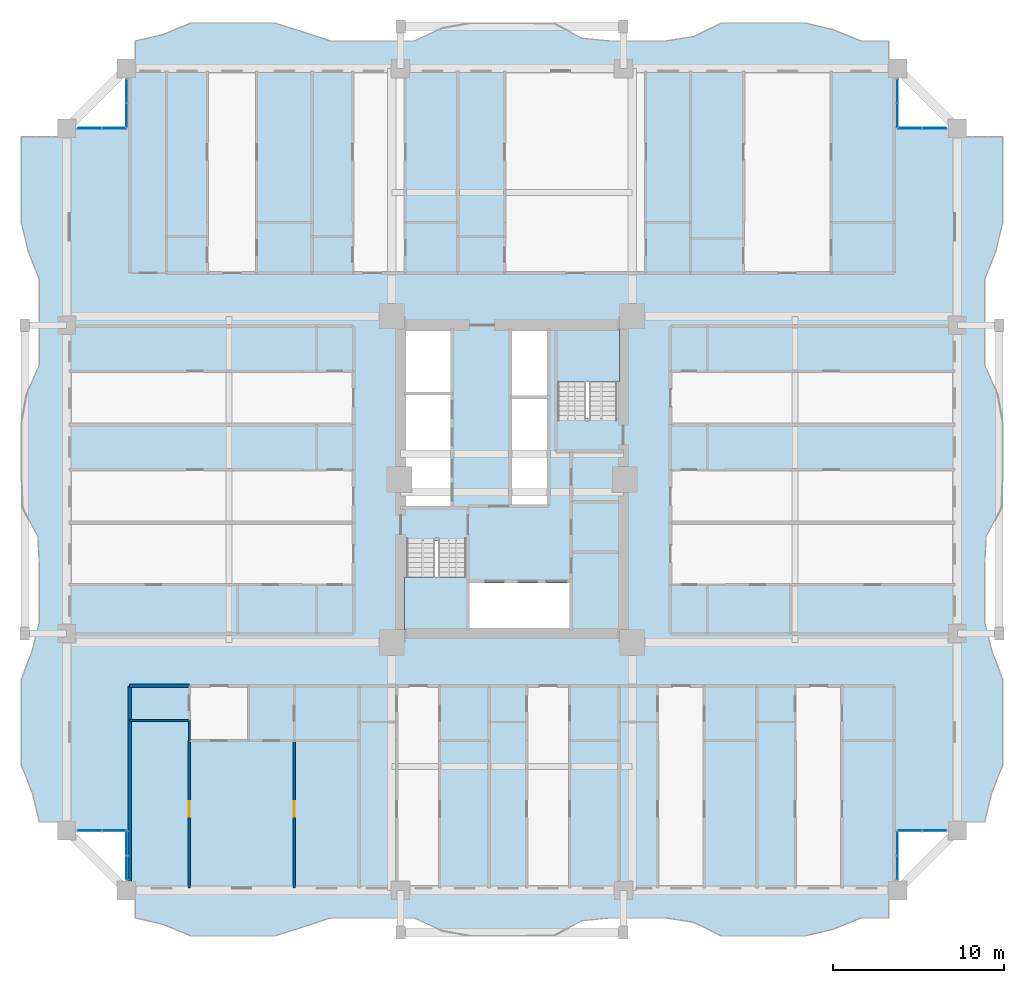
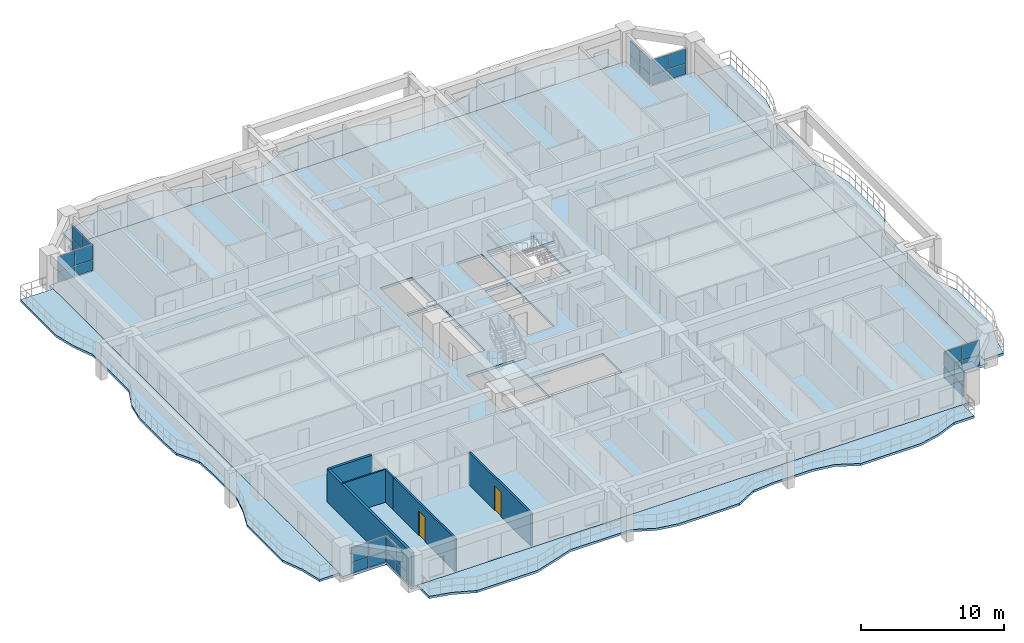
# One storey, part 13 of 28: 32 plates, 7 slabs, 6 walls, 2 doors, 2 openings, 10 elements without a shape of their own.
"""IFC4 building model written with IfcOpenShell, lengths in metres."""

from ifc_helpers import new_model, si_unit, direction, frame, frame_2d, origin, origin_2d, place, context, subcontext, project, spatial, polyline, rectangle, outline, extrude, source, transform, mapped, material, layer, layer_set, type_object, element, fill, aggregate, save


model = new_model("IFC4")

# Units and contexts
model_context = context("Model", 3, precision=1e-05, world=origin(), true_north=direction((0.0, 1.0)))
body_context = subcontext(model_context, "Body", "Model", "MODEL_VIEW")
ifc_project = project(units=[si_unit("LENGTHUNIT", "METRE"), si_unit("AREAUNIT", "SQUARE_METRE"), si_unit("VOLUMEUNIT", "CUBIC_METRE"), si_unit("PLANEANGLEUNIT", "RADIAN"), si_unit("MASSUNIT", "GRAM", prefix="KILO")], contexts=[model_context])

# Site, building, storey
site_placement = place(None, origin())
site = spatial("IfcSite", under=ifc_project, at=site_placement, CompositionType="ELEMENT")
building_placement = place(site_placement, origin())
building = spatial("IfcBuilding", under=site, at=building_placement, Name="Saelheon Loggia Tower", CompositionType="ELEMENT")
storey_placement = place(building_placement, frame((0.0, 0.0, 61.39990234375)))
storey = spatial("IfcBuildingStorey", under=building, at=storey_placement, Name="L19", CompositionType="ELEMENT", Elevation=61.39990234375)

# Slabs
ifc_material_1 = material(Name="Precast Concrete C45/55", Category="concrete")
ifc_layer_1 = layer(ifc_material_1, 0.18994140625)
ifc_layer_set_1 = layer_set([ifc_layer_1], Name="Precast Concrete C45/55")
slab_type_1 = type_object("IfcSlabType", Name="Slab_Loggia_Ext_190", PredefinedType="FLOOR", material=ifc_layer_set_1)
slab_1_placement = place(storey_placement, frame((0.0, 0.0, -0.18994140625)))
element("IfcSlab", 1, at=slab_1_placement, inside=storey, type_object=slab_type_1, Name="L19 Loggia Balcony Slab S", PredefinedType="FLOOR", context=body_context, shape_type="SweptSolid", body=[
    extrude(outline(polyline([(16.0, 1.39990234375), (17.629638671875, 1.023681640625), (19.25927734375, 0.35009765625), (20.888916015625, 0.35009765625), (22.5185546875, 0.35009765625), (24.148193359375, 0.35009765625), (25.77783203125, 0.864990234375), (27.407470703125, 1.39990234375), (29.037109375, 1.39990234375), (30.666748046875, 1.39990234375), (32.29638671875, 1.39990234375), (33.92578125, 0.646484375), (35.5556640625, 0.35009765625), (37.185302734375, 0.35009765625), (38.814697265625, 0.35009765625), (40.4443359375, 0.368408203125), (42.07421875, 1.238037109375), (43.70361328125, 1.39990234375), (45.333251953125, 1.39990234375), (46.962890625, 1.39990234375), (48.592529296875, 1.150390625), (50.22216796875, 0.35009765625), (51.851806640625, 0.35009765625), (53.4814453125, 0.35009765625), (55.111083984375, 0.35009765625), (56.74072265625, 0.736328125), (58.370361328125, 1.39990234375), (60.0, 1.39990234375), (60.0, 3.0), (16.0, 3.0), (16.0, 1.39990234375)])), origin(), (0.0, 0.0, 1.0), 0.18994140625),
])
slab_2_placement = place(storey_placement, frame((0.0, 0.0, -0.18994140625)))
element("IfcSlab", 2, at=slab_2_placement, inside=storey, type_object=slab_type_1, Name="L19 Loggia Balcony Slab N", PredefinedType="FLOOR", context=body_context, shape_type="SweptSolid", body=[
    extrude(outline(polyline([(16.0, 51.0), (60.0, 51.0), (60.0, 52.60009765625), (58.370361328125, 52.60009765625), (56.74072265625, 53.263671875), (55.111083984375, 53.64990234375), (53.4814453125, 53.64990234375), (51.851806640625, 53.64990234375), (50.22216796875, 53.64990234375), (48.592529296875, 52.849609375), (46.962890625, 52.60009765625), (45.333251953125, 52.60009765625), (43.70361328125, 52.60009765625), (42.07421875, 52.761962890625), (40.4443359375, 53.631591796875), (38.814697265625, 53.64990234375), (37.185302734375, 53.64990234375), (35.5556640625, 53.64990234375), (33.92578125, 53.353515625), (32.29638671875, 52.60009765625), (30.666748046875, 52.60009765625), (29.037109375, 52.60009765625), (27.407470703125, 52.60009765625), (25.77783203125, 53.135009765625), (24.148193359375, 53.64990234375), (22.5185546875, 53.64990234375), (20.888916015625, 53.64990234375), (19.25927734375, 53.64990234375), (17.629638671875, 52.976318359375), (16.0, 52.60009765625), (16.0, 51.0)])), origin(), (0.0, 0.0, 1.0), 0.18994140625),
])
slab_3_placement = place(storey_placement, frame((0.0, 0.0, -0.18994140625)))
element("IfcSlab", 3, at=slab_3_placement, inside=storey, type_object=slab_type_1, Name="L19 Loggia Balcony Slab E", PredefinedType="FLOOR", context=body_context, shape_type="SweptSolid", body=[
    extrude(outline(polyline([(64.0, 7.0), (65.60009765625, 7.0), (65.996337890625, 8.666748046875), (66.64990234375, 10.333251953125), (66.64990234375, 12.0), (66.64990234375, 13.666748046875), (66.64990234375, 15.333251953125), (66.014404296875, 17.0), (65.60009765625, 18.666748046875), (65.60009765625, 20.333251953125), (65.60009765625, 22.0), (65.6796875, 23.666748046875), (66.56884765625, 25.333251953125), (66.64990234375, 27.0), (66.64990234375, 28.666748046875), (66.64990234375, 30.333251953125), (66.339599609375, 32.0), (65.60009765625, 33.666748046875), (65.60009765625, 35.333251953125), (65.60009765625, 37.0), (65.60009765625, 38.666748046875), (66.24951171875, 40.333251953125), (66.64990234375, 42.0), (66.64990234375, 43.666748046875), (66.64990234375, 45.333251953125), (66.64990234375, 47.0), (64.0, 47.0), (64.0, 7.0)])), origin(), (0.0, 0.0, 1.0), 0.18994140625),
])
slab_4_placement = place(storey_placement, frame((0.0, 0.0, -0.18994140625)))
element("IfcSlab", 4, at=slab_4_placement, inside=storey, type_object=slab_type_1, Name="L19 Loggia Balcony Slab W", PredefinedType="FLOOR", context=body_context, shape_type="SweptSolid", body=[
    extrude(outline(polyline([(12.0, 7.0), (12.0, 47.0), (9.35009765625, 47.0), (9.35009765625, 45.333251953125), (9.35009765625, 43.666748046875), (9.35009765625, 42.0), (9.75048828125, 40.333251953125), (10.39990234375, 38.666748046875), (10.39990234375, 37.0), (10.39990234375, 35.333251953125), (10.39990234375, 33.666748046875), (9.660400390625, 32.0), (9.35009765625, 30.333251953125), (9.35009765625, 28.666748046875), (9.35009765625, 27.0), (9.43115234375, 25.333251953125), (10.3203125, 23.666748046875), (10.39990234375, 22.0), (10.39990234375, 20.333251953125), (10.39990234375, 18.666748046875), (9.985595703125, 17.0), (9.35009765625, 15.333251953125), (9.35009765625, 13.666748046875), (9.35009765625, 12.0), (9.35009765625, 10.333251953125), (10.003662109375, 8.666748046875), (10.39990234375, 7.0), (12.0, 7.0)])), origin(), (0.0, 0.0, 1.0), 0.18994140625),
])

# Stair, slab
ifc_material_2 = material(Name="Concrete C40/50", Category="concrete")
stair_type = type_object("IfcStairType", Name="Stair_Escape_Core", PredefinedType="HALF_TURN_STAIR", material=ifc_material_2)
stair_1_placement = place(storey_placement, origin())
stair_1 = element("IfcStair", 5, at=stair_1_placement, inside=storey, type_object=stair_type, Name="L19 Special Escape Stair ST1", PredefinedType="HALF_TURN_STAIR")
ifc_layer_2 = layer(ifc_material_2, 0.199951171875)
ifc_layer_set_2 = layer_set([ifc_layer_2], Name="Concrete C40/50")
slab_type_2 = type_object("IfcSlabType", Name="Slab_StairLanding_ST1", PredefinedType="LANDING", material=ifc_layer_set_2)
slab_5_placement = place(storey_placement, frame((0.0, 0.0, 1.300048828125)))
slab_5 = element("IfcSlab", 6, at=slab_5_placement, type_object=slab_type_2, Name="ST1 landing 1", PredefinedType="LANDING", context=body_context, shape_type="SweptSolid", body=[
    extrude(outline(polyline([(31.7099609375, 21.31005859375), (31.7099609375, 18.2099609375), (35.469970703125, 18.2099609375), (35.469970703125, 21.31005859375), (31.7099609375, 21.31005859375)])), origin(), (0.0, 0.0, 1.0), 0.199951171875),
])
aggregate(stair_1, [slab_5])

stair_2_placement = place(storey_placement, origin())
stair_2 = element("IfcStair", 7, at=stair_2_placement, inside=storey, type_object=stair_type, Name="L19 Special Escape Stair ST2", PredefinedType="HALF_TURN_STAIR")
ifc_layer_3 = layer(ifc_material_2, 0.199951171875)
ifc_layer_set_3 = layer_set([ifc_layer_3], Name="Concrete C40/50")
slab_type_3 = type_object("IfcSlabType", Name="Slab_StairLanding_ST2", PredefinedType="LANDING", material=ifc_layer_set_3)
slab_6_placement = place(storey_placement, frame((0.0, 0.0, 1.300048828125)))
slab_6 = element("IfcSlab", 8, at=slab_6_placement, type_object=slab_type_3, Name="ST2 landing 1", PredefinedType="LANDING", context=body_context, shape_type="SweptSolid", body=[
    extrude(outline(polyline([(44.2900390625, 32.68994140625), (44.2900390625, 35.7900390625), (40.530029296875, 35.7900390625), (40.530029296875, 32.68994140625), (44.2900390625, 32.68994140625)])), origin(), (0.0, 0.0, 1.0), 0.199951171875),
])
aggregate(stair_2, [slab_6])

# Slab
ifc_layer_4 = layer(ifc_material_2, 0.2099609375)
ifc_layer_set_4 = layer_set([ifc_layer_4], Name="Concrete C40/50")
slab_type_4 = type_object("IfcSlabType", Name="Slab_Tower_210", PredefinedType="FLOOR", material=ifc_layer_set_4)
slab_7_placement = place(storey_placement, frame((0.0, 0.0, -0.2099609375)))
element("IfcSlab", 9, at=slab_7_placement, inside=storey, type_object=slab_type_4, Name="L19 Tower Floor Slab", PredefinedType="FLOOR", context=body_context, shape_type="SweptSolid", body=[
    extrude(outline(polyline([(15.5, 3.0), (60.5, 3.0), (60.5, 6.5), (64.0, 6.5), (64.0, 47.5), (60.5, 47.5), (60.5, 51.0), (15.5, 51.0), (15.5, 47.5), (12.0, 47.5), (12.0, 6.5), (15.5, 6.5), (15.5, 3.0)]), holes=[polyline([(31.699951171875, 23.409912109375), (31.699951171875, 18.199951171875), (35.47998046875, 18.199951171875), (35.47998046875, 23.409912109375), (31.699951171875, 23.409912109375)]), polyline([(44.300048828125, 30.590087890625), (44.300048828125, 35.800048828125), (40.52001953125, 35.800048828125), (40.52001953125, 30.590087890625), (44.300048828125, 30.590087890625)]), polyline([(35.530029296875, 18.324951171875), (41.35009765625, 18.324951171875), (41.35009765625, 20.9599609375), (35.530029296875, 20.9599609375), (35.530029296875, 18.324951171875)]), polyline([(31.824951171875, 32.1201171875), (34.419921875, 32.1201171875), (34.419921875, 35.675048828125), (31.824951171875, 35.675048828125), (31.824951171875, 32.1201171875)]), polyline([(38.0, 31.89990234375), (40.050048828125, 31.89990234375), (40.050048828125, 35.675048828125), (38.0, 35.675048828125), (38.0, 31.89990234375)]), polyline([(31.824951171875, 25.449951171875), (34.419921875, 25.449951171875), (34.419921875, 31.919921875), (31.824951171875, 31.919921875), (31.824951171875, 25.449951171875)]), polyline([(38.0, 25.5400390625), (40.050048828125, 25.5400390625), (40.050048828125, 31.699951171875), (38.0, 31.699951171875), (38.0, 25.5400390625)])]), origin(), (0.0, 0.0, 1.0), 0.2099609375),
])

# Curtain wall, plates
ifc_material_3 = material(Name="Thermal-Break Aluminium and Triple Low-E Glass", Category="aluminium")
ifc_layer_5 = layer(ifc_material_3, 0.159912109375)
ifc_layer_set_5 = layer_set([ifc_layer_5], Name="Thermal-Break Aluminium and Triple Low-E Glass")
curtain_wall_type = type_object("IfcCurtainWallType", Name="CW_TowerLoggiaLow", PredefinedType="NOTDEFINED", material=ifc_layer_set_5)
curtain_wall_1_placement = place(storey_placement, origin())
curtain_wall_1 = element("IfcCurtainWall", 10, at=curtain_wall_1_placement, inside=storey, type_object=curtain_wall_type, Name="L19 Corner Notch Glazing SW1", PredefinedType="NOTDEFINED")
ifc_material_4 = material(Name="Triple Low-E Laminated Glazing", Category="glass")
ifc_layer_6 = layer(ifc_material_4, 0.0419921875)
ifc_layer_set_6 = layer_set([ifc_layer_6], Name="Triple Low-E Laminated Glazing")
plate_type = type_object("IfcPlateType", Name="CW_TowerLoggiaLow_Panel", PredefinedType="CURTAIN_PANEL", material=ifc_layer_set_6)
shared_shape_1 = source(origin(), body_context, "Body", "SweptSolid", [
    extrude(rectangle(XDim=1.357421875, YDim=0.0419921875, at=origin_2d()), origin(), (0.0, 0.0, 1.0), 0.8525390625),
])
plate_1_placement = place(storey_placement, frame((15.5, 4.333740234375, 0.065185546875), z_axis=(0.0, 0.0, 1.0), x_axis=(0.0, 1.0, 0.0)))
plate_1 = element("IfcPlate", 11, at=plate_1_placement, type_object=plate_type, Name="CW3 panel 1.1", PredefinedType="CURTAIN_PANEL", context=body_context, shape_type="MappedRepresentation", body=[
    mapped(shared_shape_1, transform((0.0, 0.0, 0.0), scale=1.0)),
])
plate_2_placement = place(storey_placement, frame((15.5, 5.75634765625, 0.065185546875), z_axis=(0.0, 0.0, 1.0), x_axis=(0.0, 1.0, 0.0)))
plate_2 = element("IfcPlate", 12, at=plate_2_placement, type_object=plate_type, Name="CW3 panel 2.1", PredefinedType="CURTAIN_PANEL", context=body_context, shape_type="MappedRepresentation", body=[
    mapped(shared_shape_1, transform((0.0, 0.0, 0.0), scale=1.0)),
])

curtain_wall_2_placement = place(storey_placement, origin())
curtain_wall_2 = element("IfcCurtainWall", 13, at=curtain_wall_2_placement, inside=storey, type_object=curtain_wall_type, Name="L19 Corner Notch Glazing SW2", PredefinedType="NOTDEFINED")
plate_3_placement = place(storey_placement, frame((13.333740234375, 6.5, 0.065185546875), z_axis=(0.0, 0.0, 1.0), x_axis=(1.0, 0.0, 0.0)))
plate_3 = element("IfcPlate", 14, at=plate_3_placement, type_object=plate_type, Name="CW3 panel 1.1", PredefinedType="CURTAIN_PANEL", context=body_context, shape_type="MappedRepresentation", body=[
    mapped(shared_shape_1, transform((0.0, 0.0, 0.0), scale=1.0)),
])
plate_4_placement = place(storey_placement, frame((14.75634765625, 6.5, 0.065185546875), z_axis=(0.0, 0.0, 1.0), x_axis=(1.0, 0.0, 0.0)))
plate_4 = element("IfcPlate", 15, at=plate_4_placement, type_object=plate_type, Name="CW3 panel 2.1", PredefinedType="CURTAIN_PANEL", context=body_context, shape_type="MappedRepresentation", body=[
    mapped(shared_shape_1, transform((0.0, 0.0, 0.0), scale=1.0)),
])

curtain_wall_3_placement = place(storey_placement, origin())
curtain_wall_3 = element("IfcCurtainWall", 16, at=curtain_wall_3_placement, inside=storey, type_object=curtain_wall_type, Name="L19 Corner Notch Glazing SE1", PredefinedType="NOTDEFINED")
plate_5_placement = place(storey_placement, frame((60.5, 4.333740234375, 0.065185546875), z_axis=(0.0, 0.0, 1.0), x_axis=(0.0, 1.0, 0.0)))
plate_5 = element("IfcPlate", 17, at=plate_5_placement, type_object=plate_type, Name="CW3 panel 1.1", PredefinedType="CURTAIN_PANEL", context=body_context, shape_type="MappedRepresentation", body=[
    mapped(shared_shape_1, transform((0.0, 0.0, 0.0), scale=1.0)),
])
plate_6_placement = place(storey_placement, frame((60.5, 5.75634765625, 0.065185546875), z_axis=(0.0, 0.0, 1.0), x_axis=(0.0, 1.0, 0.0)))
plate_6 = element("IfcPlate", 18, at=plate_6_placement, type_object=plate_type, Name="CW3 panel 2.1", PredefinedType="CURTAIN_PANEL", context=body_context, shape_type="MappedRepresentation", body=[
    mapped(shared_shape_1, transform((0.0, 0.0, 0.0), scale=1.0)),
])

curtain_wall_4_placement = place(storey_placement, origin())
curtain_wall_4 = element("IfcCurtainWall", 19, at=curtain_wall_4_placement, inside=storey, type_object=curtain_wall_type, Name="L19 Corner Notch Glazing SE2", PredefinedType="NOTDEFINED")
plate_7_placement = place(storey_placement, frame((61.24365234375, 6.5, 0.065185546875), z_axis=(0.0, 0.0, 1.0), x_axis=(1.0, 0.0, 0.0)))
plate_7 = element("IfcPlate", 20, at=plate_7_placement, type_object=plate_type, Name="CW3 panel 1.1", PredefinedType="CURTAIN_PANEL", context=body_context, shape_type="MappedRepresentation", body=[
    mapped(shared_shape_1, transform((0.0, 0.0, 0.0), scale=1.0)),
])
plate_8_placement = place(storey_placement, frame((62.666259765625, 6.5, 0.065185546875), z_axis=(0.0, 0.0, 1.0), x_axis=(1.0, 0.0, 0.0)))
plate_8 = element("IfcPlate", 21, at=plate_8_placement, type_object=plate_type, Name="CW3 panel 2.1", PredefinedType="CURTAIN_PANEL", context=body_context, shape_type="MappedRepresentation", body=[
    mapped(shared_shape_1, transform((0.0, 0.0, 0.0), scale=1.0)),
])

curtain_wall_5_placement = place(storey_placement, origin())
curtain_wall_5 = element("IfcCurtainWall", 22, at=curtain_wall_5_placement, inside=storey, type_object=curtain_wall_type, Name="L19 Corner Notch Glazing NW1", PredefinedType="NOTDEFINED")
plate_9_placement = place(storey_placement, frame((15.5, 48.24365234375, 0.065185546875), z_axis=(0.0, 0.0, 1.0), x_axis=(0.0, 1.0, 0.0)))
plate_9 = element("IfcPlate", 23, at=plate_9_placement, type_object=plate_type, Name="CW3 panel 1.1", PredefinedType="CURTAIN_PANEL", context=body_context, shape_type="MappedRepresentation", body=[
    mapped(shared_shape_1, transform((0.0, 0.0, 0.0), scale=1.0)),
])
plate_10_placement = place(storey_placement, frame((15.5, 49.666259765625, 0.065185546875), z_axis=(0.0, 0.0, 1.0), x_axis=(0.0, 1.0, 0.0)))
plate_10 = element("IfcPlate", 24, at=plate_10_placement, type_object=plate_type, Name="CW3 panel 2.1", PredefinedType="CURTAIN_PANEL", context=body_context, shape_type="MappedRepresentation", body=[
    mapped(shared_shape_1, transform((0.0, 0.0, 0.0), scale=1.0)),
])

curtain_wall_6_placement = place(storey_placement, origin())
curtain_wall_6 = element("IfcCurtainWall", 25, at=curtain_wall_6_placement, inside=storey, type_object=curtain_wall_type, Name="L19 Corner Notch Glazing NW2", PredefinedType="NOTDEFINED")
plate_11_placement = place(storey_placement, frame((13.333740234375, 47.5, 0.065185546875), z_axis=(0.0, 0.0, 1.0), x_axis=(1.0, 0.0, 0.0)))
plate_11 = element("IfcPlate", 26, at=plate_11_placement, type_object=plate_type, Name="CW3 panel 1.1", PredefinedType="CURTAIN_PANEL", context=body_context, shape_type="MappedRepresentation", body=[
    mapped(shared_shape_1, transform((0.0, 0.0, 0.0), scale=1.0)),
])
plate_12_placement = place(storey_placement, frame((14.75634765625, 47.5, 0.065185546875), z_axis=(0.0, 0.0, 1.0), x_axis=(1.0, 0.0, 0.0)))
plate_12 = element("IfcPlate", 27, at=plate_12_placement, type_object=plate_type, Name="CW3 panel 2.1", PredefinedType="CURTAIN_PANEL", context=body_context, shape_type="MappedRepresentation", body=[
    mapped(shared_shape_1, transform((0.0, 0.0, 0.0), scale=1.0)),
])

curtain_wall_7_placement = place(storey_placement, origin())
curtain_wall_7 = element("IfcCurtainWall", 28, at=curtain_wall_7_placement, inside=storey, type_object=curtain_wall_type, Name="L19 Corner Notch Glazing NE1", PredefinedType="NOTDEFINED")
plate_13_placement = place(storey_placement, frame((60.5, 48.24365234375, 0.065185546875), z_axis=(0.0, 0.0, 1.0), x_axis=(0.0, 1.0, 0.0)))
plate_13 = element("IfcPlate", 29, at=plate_13_placement, type_object=plate_type, Name="CW3 panel 1.1", PredefinedType="CURTAIN_PANEL", context=body_context, shape_type="MappedRepresentation", body=[
    mapped(shared_shape_1, transform((0.0, 0.0, 0.0), scale=1.0)),
])
plate_14_placement = place(storey_placement, frame((60.5, 49.666259765625, 0.065185546875), z_axis=(0.0, 0.0, 1.0), x_axis=(0.0, 1.0, 0.0)))
plate_14 = element("IfcPlate", 30, at=plate_14_placement, type_object=plate_type, Name="CW3 panel 2.1", PredefinedType="CURTAIN_PANEL", context=body_context, shape_type="MappedRepresentation", body=[
    mapped(shared_shape_1, transform((0.0, 0.0, 0.0), scale=1.0)),
])

curtain_wall_8_placement = place(storey_placement, origin())
curtain_wall_8 = element("IfcCurtainWall", 31, at=curtain_wall_8_placement, inside=storey, type_object=curtain_wall_type, Name="L19 Corner Notch Glazing NE2", PredefinedType="NOTDEFINED")
plate_15_placement = place(storey_placement, frame((61.24365234375, 47.5, 0.065185546875), z_axis=(0.0, 0.0, 1.0), x_axis=(1.0, 0.0, 0.0)))
plate_15 = element("IfcPlate", 32, at=plate_15_placement, type_object=plate_type, Name="CW3 panel 1.1", PredefinedType="CURTAIN_PANEL", context=body_context, shape_type="MappedRepresentation", body=[
    mapped(shared_shape_1, transform((0.0, 0.0, 0.0), scale=1.0)),
])
plate_16_placement = place(storey_placement, frame((62.666259765625, 47.5, 0.065185546875), z_axis=(0.0, 0.0, 1.0), x_axis=(1.0, 0.0, 0.0)))
plate_16 = element("IfcPlate", 33, at=plate_16_placement, type_object=plate_type, Name="CW3 panel 2.1", PredefinedType="CURTAIN_PANEL", context=body_context, shape_type="MappedRepresentation", body=[
    mapped(shared_shape_1, transform((0.0, 0.0, 0.0), scale=1.0)),
])

# Plate
shared_shape_2 = source(origin(), body_context, "Body", "SweptSolid", [
    extrude(rectangle(XDim=1.357421875, YDim=0.0419921875, at=origin_2d()), origin(), (0.0, 0.0, 1.0), 1.232421875),
])
plate_17_placement = place(storey_placement, frame((15.5, 4.333740234375, 0.982666015625), z_axis=(0.0, 0.0, 1.0), x_axis=(0.0, 1.0, 0.0)))
plate_17 = element("IfcPlate", 34, at=plate_17_placement, type_object=plate_type, Name="CW3 panel 1.2", PredefinedType="CURTAIN_PANEL", context=body_context, shape_type="MappedRepresentation", body=[
    mapped(shared_shape_2, transform((0.0, 0.0, 0.0), scale=1.0)),
])

plate_18_placement = place(storey_placement, frame((15.5, 5.75634765625, 0.982666015625), z_axis=(0.0, 0.0, 1.0), x_axis=(0.0, 1.0, 0.0)))
plate_18 = element("IfcPlate", 35, at=plate_18_placement, type_object=plate_type, Name="CW3 panel 2.2", PredefinedType="CURTAIN_PANEL", context=body_context, shape_type="MappedRepresentation", body=[
    mapped(shared_shape_2, transform((0.0, 0.0, 0.0), scale=1.0)),
])

aggregate(curtain_wall_1, [plate_1, plate_17, plate_2, plate_18])

plate_19_placement = place(storey_placement, frame((13.333740234375, 6.5, 0.982666015625), z_axis=(0.0, 0.0, 1.0), x_axis=(1.0, 0.0, 0.0)))
plate_19 = element("IfcPlate", 36, at=plate_19_placement, type_object=plate_type, Name="CW3 panel 1.2", PredefinedType="CURTAIN_PANEL", context=body_context, shape_type="MappedRepresentation", body=[
    mapped(shared_shape_2, transform((0.0, 0.0, 0.0), scale=1.0)),
])

plate_20_placement = place(storey_placement, frame((14.75634765625, 6.5, 0.982666015625), z_axis=(0.0, 0.0, 1.0), x_axis=(1.0, 0.0, 0.0)))
plate_20 = element("IfcPlate", 37, at=plate_20_placement, type_object=plate_type, Name="CW3 panel 2.2", PredefinedType="CURTAIN_PANEL", context=body_context, shape_type="MappedRepresentation", body=[
    mapped(shared_shape_2, transform((0.0, 0.0, 0.0), scale=1.0)),
])

aggregate(curtain_wall_2, [plate_3, plate_19, plate_4, plate_20])

plate_21_placement = place(storey_placement, frame((60.5, 4.333740234375, 0.982666015625), z_axis=(0.0, 0.0, 1.0), x_axis=(0.0, 1.0, 0.0)))
plate_21 = element("IfcPlate", 38, at=plate_21_placement, type_object=plate_type, Name="CW3 panel 1.2", PredefinedType="CURTAIN_PANEL", context=body_context, shape_type="MappedRepresentation", body=[
    mapped(shared_shape_2, transform((0.0, 0.0, 0.0), scale=1.0)),
])

plate_22_placement = place(storey_placement, frame((60.5, 5.75634765625, 0.982666015625), z_axis=(0.0, 0.0, 1.0), x_axis=(0.0, 1.0, 0.0)))
plate_22 = element("IfcPlate", 39, at=plate_22_placement, type_object=plate_type, Name="CW3 panel 2.2", PredefinedType="CURTAIN_PANEL", context=body_context, shape_type="MappedRepresentation", body=[
    mapped(shared_shape_2, transform((0.0, 0.0, 0.0), scale=1.0)),
])

aggregate(curtain_wall_3, [plate_5, plate_21, plate_6, plate_22])

plate_23_placement = place(storey_placement, frame((61.24365234375, 6.5, 0.982666015625), z_axis=(0.0, 0.0, 1.0), x_axis=(1.0, 0.0, 0.0)))
plate_23 = element("IfcPlate", 40, at=plate_23_placement, type_object=plate_type, Name="CW3 panel 1.2", PredefinedType="CURTAIN_PANEL", context=body_context, shape_type="MappedRepresentation", body=[
    mapped(shared_shape_2, transform((0.0, 0.0, 0.0), scale=1.0)),
])

plate_24_placement = place(storey_placement, frame((62.666259765625, 6.5, 0.982666015625), z_axis=(0.0, 0.0, 1.0), x_axis=(1.0, 0.0, 0.0)))
plate_24 = element("IfcPlate", 41, at=plate_24_placement, type_object=plate_type, Name="CW3 panel 2.2", PredefinedType="CURTAIN_PANEL", context=body_context, shape_type="MappedRepresentation", body=[
    mapped(shared_shape_2, transform((0.0, 0.0, 0.0), scale=1.0)),
])

aggregate(curtain_wall_4, [plate_7, plate_23, plate_8, plate_24])

plate_25_placement = place(storey_placement, frame((15.5, 48.24365234375, 0.982666015625), z_axis=(0.0, 0.0, 1.0), x_axis=(0.0, 1.0, 0.0)))
plate_25 = element("IfcPlate", 42, at=plate_25_placement, type_object=plate_type, Name="CW3 panel 1.2", PredefinedType="CURTAIN_PANEL", context=body_context, shape_type="MappedRepresentation", body=[
    mapped(shared_shape_2, transform((0.0, 0.0, 0.0), scale=1.0)),
])

plate_26_placement = place(storey_placement, frame((15.5, 49.666259765625, 0.982666015625), z_axis=(0.0, 0.0, 1.0), x_axis=(0.0, 1.0, 0.0)))
plate_26 = element("IfcPlate", 43, at=plate_26_placement, type_object=plate_type, Name="CW3 panel 2.2", PredefinedType="CURTAIN_PANEL", context=body_context, shape_type="MappedRepresentation", body=[
    mapped(shared_shape_2, transform((0.0, 0.0, 0.0), scale=1.0)),
])

aggregate(curtain_wall_5, [plate_9, plate_25, plate_10, plate_26])

plate_27_placement = place(storey_placement, frame((13.333740234375, 47.5, 0.982666015625), z_axis=(0.0, 0.0, 1.0), x_axis=(1.0, 0.0, 0.0)))
plate_27 = element("IfcPlate", 44, at=plate_27_placement, type_object=plate_type, Name="CW3 panel 1.2", PredefinedType="CURTAIN_PANEL", context=body_context, shape_type="MappedRepresentation", body=[
    mapped(shared_shape_2, transform((0.0, 0.0, 0.0), scale=1.0)),
])

plate_28_placement = place(storey_placement, frame((14.75634765625, 47.5, 0.982666015625), z_axis=(0.0, 0.0, 1.0), x_axis=(1.0, 0.0, 0.0)))
plate_28 = element("IfcPlate", 45, at=plate_28_placement, type_object=plate_type, Name="CW3 panel 2.2", PredefinedType="CURTAIN_PANEL", context=body_context, shape_type="MappedRepresentation", body=[
    mapped(shared_shape_2, transform((0.0, 0.0, 0.0), scale=1.0)),
])

aggregate(curtain_wall_6, [plate_11, plate_27, plate_12, plate_28])

plate_29_placement = place(storey_placement, frame((60.5, 48.24365234375, 0.982666015625), z_axis=(0.0, 0.0, 1.0), x_axis=(0.0, 1.0, 0.0)))
plate_29 = element("IfcPlate", 46, at=plate_29_placement, type_object=plate_type, Name="CW3 panel 1.2", PredefinedType="CURTAIN_PANEL", context=body_context, shape_type="MappedRepresentation", body=[
    mapped(shared_shape_2, transform((0.0, 0.0, 0.0), scale=1.0)),
])

plate_30_placement = place(storey_placement, frame((60.5, 49.666259765625, 0.982666015625), z_axis=(0.0, 0.0, 1.0), x_axis=(0.0, 1.0, 0.0)))
plate_30 = element("IfcPlate", 47, at=plate_30_placement, type_object=plate_type, Name="CW3 panel 2.2", PredefinedType="CURTAIN_PANEL", context=body_context, shape_type="MappedRepresentation", body=[
    mapped(shared_shape_2, transform((0.0, 0.0, 0.0), scale=1.0)),
])

aggregate(curtain_wall_7, [plate_13, plate_29, plate_14, plate_30])

plate_31_placement = place(storey_placement, frame((61.24365234375, 47.5, 0.982666015625), z_axis=(0.0, 0.0, 1.0), x_axis=(1.0, 0.0, 0.0)))
plate_31 = element("IfcPlate", 48, at=plate_31_placement, type_object=plate_type, Name="CW3 panel 1.2", PredefinedType="CURTAIN_PANEL", context=body_context, shape_type="MappedRepresentation", body=[
    mapped(shared_shape_2, transform((0.0, 0.0, 0.0), scale=1.0)),
])

plate_32_placement = place(storey_placement, frame((62.666259765625, 47.5, 0.982666015625), z_axis=(0.0, 0.0, 1.0), x_axis=(1.0, 0.0, 0.0)))
plate_32 = element("IfcPlate", 49, at=plate_32_placement, type_object=plate_type, Name="CW3 panel 2.2", PredefinedType="CURTAIN_PANEL", context=body_context, shape_type="MappedRepresentation", body=[
    mapped(shared_shape_2, transform((0.0, 0.0, 0.0), scale=1.0)),
])

aggregate(curtain_wall_8, [plate_15, plate_31, plate_16, plate_32])

# Wall, opening, door
ifc_material_5 = material(Name="Lightweight Autoclaved Aerated Concrete Block and Acoustic Gypsum", Category="concrete")
ifc_layer_7 = layer(ifc_material_5, 0.14990234375)
ifc_layer_set_7 = layer_set([ifc_layer_7], Name="Lightweight Autoclaved Aerated Concrete Block and Acoustic Gypsum")
wall_type_1 = type_object("IfcWallType", Name="Wall_Part_150", PredefinedType="PARTITIONING", material=ifc_layer_set_7)
wall_1_placement = place(storey_placement, frame((19.161865234375, 11.75, 0.0), z_axis=(0.0, 0.0, 1.0), x_axis=(0.0, -1.0, 0.0)))
wall_1 = element("IfcWall", 50, at=wall_1_placement, inside=storey, type_object=wall_type_1, Name="L19 S Partition U14", PredefinedType="PARTITIONING", context=body_context, shape_type="SweptSolid", body=[
    extrude(rectangle(XDim=8.60009765625, YDim=0.14990234375, at=frame_2d((4.300048828125, 0.0))), origin(), (0.0, 0.0, 1.0), 2.7900390625),
])
opening_1_placement = place(wall_1_placement, frame((3.54931640625, 0.0, 0.0)))
opening_1 = element("IfcOpeningElement", 51, at=opening_1_placement, cuts=wall_1, Name="Opening D-IN2", PredefinedType="OPENING", context=body_context, shape_type="SweptSolid", body=[
    extrude(rectangle(XDim=0.89990234375, YDim=2.10009765625, at=frame_2d((0.449951171875, 1.050048828125))), frame((0.0, 0.0869140625, 0.0), z_axis=(0.0, -1.0, 0.0), x_axis=(1.0, 0.0, 0.0)), (0.0, 0.0, 1.0), 0.173828125),
])
ifc_material_6 = material(Name="Engineered Oak Flush Door", Category="timber")
door_type = type_object("IfcDoorType", Name="Door_Int_900", OperationType="NOTDEFINED", PredefinedType="DOOR", material=ifc_material_6)
shared_shape_3 = source(origin(), body_context, "Body", "SweptSolid", [
    extrude(rectangle(XDim=0.89990234375, YDim=2.10009765625, at=frame_2d((0.449951171875, 1.050048828125))), frame((0.0, 0.02490234375, 0.0), z_axis=(0.0, -1.0, 0.0), x_axis=(1.0, 0.0, 0.0)), (0.0, 0.0, 1.0), 0.050048828125),
])
door_1_placement = place(opening_1_placement, origin())
door_1 = element("IfcDoor", 52, at=door_1_placement, inside=storey, type_object=door_type, Name="Unit U01 Bedroom 2 Door", OperationType="SINGLE_SWING_LEFT", OverallHeight=2.10009765625, OverallWidth=0.89990234375, PredefinedType="DOOR", context=body_context, shape_type="MappedRepresentation", body=[
    mapped(shared_shape_3, transform((0.0, 0.0, 0.0), scale=1.0)),
])
fill(opening_1, door_1)

wall_2_placement = place(storey_placement, frame((25.29296875, 11.75, 0.0), z_axis=(0.0, 0.0, 1.0), x_axis=(0.0, -1.0, 0.0)))
wall_2 = element("IfcWall", 53, at=wall_2_placement, inside=storey, type_object=wall_type_1, Name="L19 S Partition U16", PredefinedType="PARTITIONING", context=body_context, shape_type="SweptSolid", body=[
    extrude(rectangle(XDim=8.60009765625, YDim=0.14990234375, at=frame_2d((4.300048828125, 0.0))), origin(), (0.0, 0.0, 1.0), 2.7900390625),
])
opening_2_placement = place(wall_2_placement, frame((3.54931640625, 0.0, 0.0)))
opening_2 = element("IfcOpeningElement", 54, at=opening_2_placement, cuts=wall_2, Name="Opening D-IN2", PredefinedType="OPENING", context=body_context, shape_type="SweptSolid", body=[
    extrude(rectangle(XDim=0.89990234375, YDim=2.10009765625, at=frame_2d((0.449951171875, 1.050048828125))), frame((0.0, 0.0869140625, 0.0), z_axis=(0.0, -1.0, 0.0), x_axis=(1.0, 0.0, 0.0)), (0.0, 0.0, 1.0), 0.173828125),
])
door_2_placement = place(opening_2_placement, origin())
door_2 = element("IfcDoor", 55, at=door_2_placement, inside=storey, type_object=door_type, Name="Unit U01 Bedroom 1 Door", OperationType="SINGLE_SWING_LEFT", OverallHeight=2.10009765625, OverallWidth=0.89990234375, PredefinedType="DOOR", context=body_context, shape_type="MappedRepresentation", body=[
    mapped(shared_shape_3, transform((0.0, 0.0, 0.0), scale=1.0)),
])
fill(opening_2, door_2)

# Walls
ifc_material_7 = material(Name="Double Acoustic Stud and Fireboard Partition", Category="gypsum")
ifc_layer_8 = layer(ifc_material_7, 0.199951171875)
ifc_layer_set_8 = layer_set([ifc_layer_8], Name="Double Acoustic Stud and Fireboard Partition")
wall_type_2 = type_object("IfcWallType", Name="Wall_Party_200", PredefinedType="PARTITIONING", material=ifc_layer_set_8)
wall_3_placement = place(storey_placement, frame((15.679931640625, 14.949951171875, 0.0), z_axis=(0.0, 0.0, 1.0), x_axis=(0.0, -1.0, 0.0)))
element("IfcWall", 56, at=wall_3_placement, inside=storey, type_object=wall_type_2, Name="L19 S Partition U01", PredefinedType="PARTITIONING", context=body_context, shape_type="SweptSolid", body=[
    extrude(rectangle(XDim=11.800048828125, YDim=0.199951171875, at=frame_2d((5.89990234375, 0.0))), origin(), (0.0, 0.0, 1.0), 2.7900390625),
])
wall_4_placement = place(storey_placement, frame((15.679931640625, 14.949951171875, 0.0), z_axis=(0.0, 0.0, 1.0), x_axis=(1.0, 0.0, 0.0)))
element("IfcWall", 57, at=wall_4_placement, inside=storey, type_object=wall_type_2, Name="L19 S Partition V03", PredefinedType="PARTITIONING", context=body_context, shape_type="SweptSolid", body=[
    extrude(rectangle(XDim=3.48193359375, YDim=0.199951171875, at=frame_2d((1.740966796875, 0.0))), origin(), (0.0, 0.0, 1.0), 2.7900390625),
])
ifc_material_8 = material(Name="Moisture-Resistant Cement Board Partition", Category="gypsum")
ifc_layer_9 = layer(ifc_material_8, 0.1201171875)
ifc_layer_set_9 = layer_set([ifc_layer_9], Name="Moisture-Resistant Cement Board Partition")
wall_type_3 = type_object("IfcWallType", Name="Wall_WetPart_120", PredefinedType="PARTITIONING", material=ifc_layer_set_9)
wall_5_placement = place(storey_placement, frame((15.679931640625, 12.929931640625, 0.0), z_axis=(0.0, 0.0, 1.0), x_axis=(1.0, 0.0, 0.0)))
element("IfcWall", 58, at=wall_5_placement, inside=storey, type_object=wall_type_3, Name="L19 S Partition V10", PredefinedType="PARTITIONING", context=body_context, shape_type="SweptSolid", body=[
    extrude(rectangle(XDim=3.48193359375, YDim=0.1201171875, at=frame_2d((1.740966796875, 0.0))), origin(), (0.0, 0.0, 1.0), 2.7900390625),
])
wall_6_placement = place(storey_placement, frame((19.161865234375, 12.929931640625, 0.0), z_axis=(0.0, 0.0, 1.0), x_axis=(0.0, -1.0, 0.0)))
element("IfcWall", 59, at=wall_6_placement, inside=storey, type_object=wall_type_3, Name="L19 S Partition U13", PredefinedType="PARTITIONING", context=body_context, shape_type="SweptSolid", body=[
    extrude(rectangle(XDim=1.179931640625, YDim=0.1201171875, at=frame_2d((0.58984375, 0.0))), origin(), (0.0, 0.0, 1.0), 2.7900390625),
])

save(model, "model.ifc")
